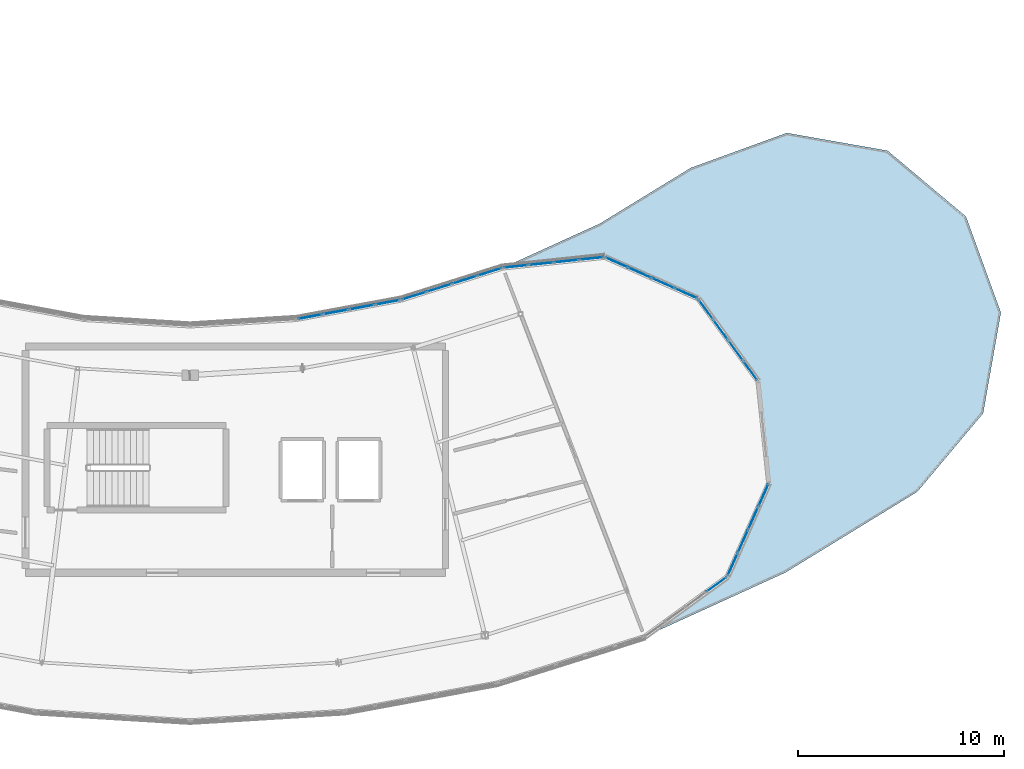
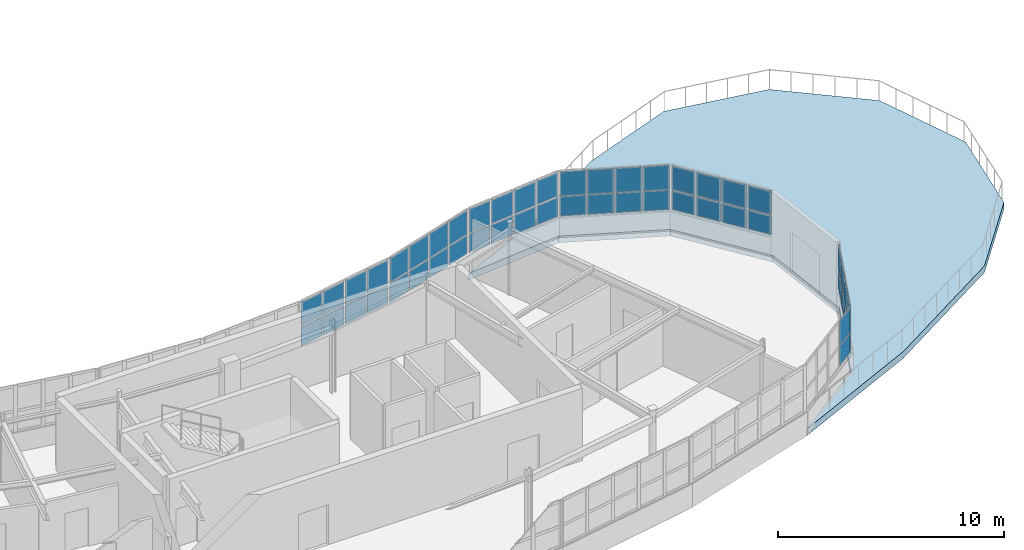
# One storey, part 39 of 65: 50 plates, 1 slab, 7 elements without a shape of their own.
"""IFC4 building model written with IfcOpenShell, lengths in metres."""

from ifc_helpers import new_model, si_unit, direction, frame, origin, origin_2d, place, context, subcontext, project, spatial, polyline, rectangle, outline, extrude, material, layer, layer_set, type_object, element, aggregate, save


model = new_model("IFC4")

# Units and contexts
model_context = context("Model", 3, precision=1e-05, world=origin(), true_north=direction((0.0, 1.0)))
body_context = subcontext(model_context, "Body", "Model", "MODEL_VIEW")
ifc_project = project(units=[si_unit("LENGTHUNIT", "METRE"), si_unit("AREAUNIT", "SQUARE_METRE"), si_unit("VOLUMEUNIT", "CUBIC_METRE"), si_unit("PLANEANGLEUNIT", "RADIAN"), si_unit("MASSUNIT", "GRAM", prefix="KILO")], contexts=[model_context])

# Site, building, storey
site_placement = place(None, origin())
site = spatial("IfcSite", under=ifc_project, at=site_placement, CompositionType="ELEMENT")
building_placement = place(site_placement, origin())
building = spatial("IfcBuilding", under=site, at=building_placement, Name="Tarnwether General Hospital", CompositionType="ELEMENT")
storey_placement = place(building_placement, frame((0.0, 0.0, 22.199951171875)))
storey = spatial("IfcBuildingStorey", under=building, at=storey_placement, Name="L05", CompositionType="ELEMENT", Elevation=22.199951171875)

# Curtain wall, plates
ifc_material_1 = material(Name="Anodised aluminium", Category="aluminium")
ifc_layer_1 = layer(ifc_material_1, 0.159912109375)
ifc_layer_set_1 = layer_set([ifc_layer_1], Name="Anodised aluminium")
curtain_wall_type = type_object("IfcCurtainWallType", Name="CW-04", PredefinedType="NOTDEFINED", material=ifc_layer_set_1)
curtain_wall_1_placement = place(storey_placement, origin())
curtain_wall_1 = element("IfcCurtainWall", 1, at=curtain_wall_1_placement, inside=storey, type_object=curtain_wall_type, Name="Curtain Wall CWG-L05-1181_84-0226", PredefinedType="NOTDEFINED")
ifc_material_2 = material(Name="Double glazed low-E glass", Category="glass")
ifc_layer_2 = layer(ifc_material_2, 0.028076171875)
ifc_layer_set_2 = layer_set([ifc_layer_2], Name="Double glazed low-E glass")
plate_type_1 = type_object("IfcPlateType", Name="PT-CWP1", PredefinedType="CURTAIN_PANEL", material=ifc_layer_set_2)
plate_1_placement = place(storey_placement, frame((117.581298828125, 8.0380859375, 1.110107421875), z_axis=(0.0, 0.0, 1.0), x_axis=(-0.809057896173, -0.587728951677, 0.0)))
plate_1 = element("IfcPlate", 2, at=plate_1_placement, type_object=plate_type_1, Name="CW-04 panel 1.1", PredefinedType="CURTAIN_PANEL", context=body_context, shape_type="SweptSolid", body=[
    extrude(rectangle(XDim=1.152587890625, YDim=0.028076171875, at=origin_2d()), origin(), (0.0, 0.0, 1.0), 1.03955078125),
])
plate_2_placement = place(storey_placement, frame((117.581298828125, 8.0380859375, 2.20947265625), z_axis=(0.0, 0.0, 1.0), x_axis=(-0.809057896173, -0.587728951677, 0.0)))
plate_2 = element("IfcPlate", 3, at=plate_2_placement, type_object=plate_type_1, Name="CW-04 panel 1.2", PredefinedType="CURTAIN_PANEL", context=body_context, shape_type="SweptSolid", body=[
    extrude(rectangle(XDim=1.152587890625, YDim=0.028076171875, at=origin_2d()), origin(), (0.0, 0.0, 1.0), 1.29052734375),
])
aggregate(curtain_wall_1, [plate_1, plate_2])

curtain_wall_2_placement = place(storey_placement, origin())
curtain_wall_2 = element("IfcCurtainWall", 4, at=curtain_wall_2_placement, inside=storey, type_object=curtain_wall_type, Name="Curtain Wall CWG-L05-1167_219-0228", PredefinedType="NOTDEFINED")
plate_3_placement = place(storey_placement, frame((117.053955078125, 21.395263671875, 1.1298828125), z_axis=(0.0, 0.0, 1.0), x_axis=(0.587824638969, -0.808988376814, 0.0)))
plate_3 = element("IfcPlate", 5, at=plate_3_placement, type_object=plate_type_1, Name="CW-04 panel 1.1", PredefinedType="CURTAIN_PANEL", context=body_context, shape_type="SweptSolid", body=[
    extrude(rectangle(XDim=1.122314453125, YDim=0.028076171875, at=origin_2d()), origin(), (0.0, 0.0, 1.0), 1.009521484375),
])
plate_4_placement = place(storey_placement, frame((117.053955078125, 21.395263671875, 2.2197265625), z_axis=(0.0, 0.0, 1.0), x_axis=(0.587824638969, -0.808988376814, 0.0)))
plate_4 = element("IfcPlate", 6, at=plate_4_placement, type_object=plate_type_1, Name="CW-04 panel 1.2", PredefinedType="CURTAIN_PANEL", context=body_context, shape_type="SweptSolid", body=[
    extrude(rectangle(XDim=1.122314453125, YDim=0.028076171875, at=origin_2d()), origin(), (0.0, 0.0, 1.0), 1.260498046875),
])
plate_5_placement = place(storey_placement, frame((117.7724609375, 20.406494140625, 1.1298828125), z_axis=(0.0, 0.0, 1.0), x_axis=(0.587824638969, -0.808988376814, 0.0)))
plate_5 = element("IfcPlate", 7, at=plate_5_placement, type_object=plate_type_1, Name="CW-04 panel 2.1", PredefinedType="CURTAIN_PANEL", context=body_context, shape_type="SweptSolid", body=[
    extrude(rectangle(XDim=1.162353515625, YDim=0.028076171875, at=origin_2d()), origin(), (0.0, 0.0, 1.0), 1.009521484375),
])
plate_6_placement = place(storey_placement, frame((117.7724609375, 20.406494140625, 2.2197265625), z_axis=(0.0, 0.0, 1.0), x_axis=(0.587824638969, -0.808988376814, 0.0)))
plate_6 = element("IfcPlate", 8, at=plate_6_placement, type_object=plate_type_1, Name="CW-04 panel 2.2", PredefinedType="CURTAIN_PANEL", context=body_context, shape_type="SweptSolid", body=[
    extrude(rectangle(XDim=1.162353515625, YDim=0.028076171875, at=origin_2d()), origin(), (0.0, 0.0, 1.0), 1.260498046875),
])
plate_7_placement = place(storey_placement, frame((118.502685546875, 19.401611328125, 1.1298828125), z_axis=(0.0, 0.0, 1.0), x_axis=(0.587824638969, -0.808988376814, 0.0)))
plate_7 = element("IfcPlate", 9, at=plate_7_placement, type_object=plate_type_1, Name="CW-04 panel 3.1", PredefinedType="CURTAIN_PANEL", context=body_context, shape_type="SweptSolid", body=[
    extrude(rectangle(XDim=1.162353515625, YDim=0.028076171875, at=origin_2d()), origin(), (0.0, 0.0, 1.0), 1.009521484375),
])
plate_8_placement = place(storey_placement, frame((118.502685546875, 19.401611328125, 2.2197265625), z_axis=(0.0, 0.0, 1.0), x_axis=(0.587824638969, -0.808988376814, 0.0)))
plate_8 = element("IfcPlate", 10, at=plate_8_placement, type_object=plate_type_1, Name="CW-04 panel 3.2", PredefinedType="CURTAIN_PANEL", context=body_context, shape_type="SweptSolid", body=[
    extrude(rectangle(XDim=1.162353515625, YDim=0.028076171875, at=origin_2d()), origin(), (0.0, 0.0, 1.0), 1.260498046875),
])
plate_9_placement = place(storey_placement, frame((119.22119140625, 18.41259765625, 1.1298828125), z_axis=(0.0, 0.0, 1.0), x_axis=(0.587824638969, -0.808988376814, 0.0)))
plate_9 = element("IfcPlate", 11, at=plate_9_placement, type_object=plate_type_1, Name="CW-04 panel 4.1", PredefinedType="CURTAIN_PANEL", context=body_context, shape_type="SweptSolid", body=[
    extrude(rectangle(XDim=1.122314453125, YDim=0.028076171875, at=origin_2d()), origin(), (0.0, 0.0, 1.0), 1.009521484375),
])
plate_10_placement = place(storey_placement, frame((119.22119140625, 18.41259765625, 2.2197265625), z_axis=(0.0, 0.0, 1.0), x_axis=(0.587824638969, -0.808988376814, 0.0)))
plate_10 = element("IfcPlate", 12, at=plate_10_placement, type_object=plate_type_1, Name="CW-04 panel 4.2", PredefinedType="CURTAIN_PANEL", context=body_context, shape_type="SweptSolid", body=[
    extrude(rectangle(XDim=1.122314453125, YDim=0.028076171875, at=origin_2d()), origin(), (0.0, 0.0, 1.0), 1.260498046875),
])
aggregate(curtain_wall_2, [plate_3, plate_4, plate_5, plate_6, plate_7, plate_8, plate_9, plate_10])

curtain_wall_3_placement = place(storey_placement, origin())
curtain_wall_3 = element("IfcCurtainWall", 13, at=curtain_wall_3_placement, inside=storey, type_object=curtain_wall_type, Name="Curtain Wall CWG-L05-1072_234-0230", PredefinedType="NOTDEFINED")
plate_11_placement = place(storey_placement, frame((107.830078125, 23.48291015625, 1.1201171875), z_axis=(0.0, 0.0, 1.0), x_axis=(0.994509862698, 0.104642883163, 0.0)))
plate_11 = element("IfcPlate", 14, at=plate_11_placement, type_object=plate_type_1, Name="CW-04 panel 1.1", PredefinedType="CURTAIN_PANEL", context=body_context, shape_type="SweptSolid", body=[
    extrude(rectangle(XDim=1.13720703125, YDim=0.028076171875, at=origin_2d()), origin(), (0.0, 0.0, 1.0), 1.0244140625),
])
plate_12_placement = place(storey_placement, frame((107.830078125, 23.48291015625, 2.214599609375), z_axis=(0.0, 0.0, 1.0), x_axis=(0.994509862698, 0.104642883163, 0.0)))
plate_12 = element("IfcPlate", 15, at=plate_12_placement, type_object=plate_type_1, Name="CW-04 panel 1.2", PredefinedType="CURTAIN_PANEL", context=body_context, shape_type="SweptSolid", body=[
    extrude(rectangle(XDim=1.13720703125, YDim=0.028076171875, at=origin_2d()), origin(), (0.0, 0.0, 1.0), 1.275390625),
])
plate_13_placement = place(storey_placement, frame((109.04833984375, 23.611083984375, 1.1201171875), z_axis=(0.0, 0.0, 1.0), x_axis=(0.994509862698, 0.104642883163, 0.0)))
plate_13 = element("IfcPlate", 16, at=plate_13_placement, type_object=plate_type_1, Name="CW-04 panel 2.1", PredefinedType="CURTAIN_PANEL", context=body_context, shape_type="SweptSolid", body=[
    extrude(rectangle(XDim=1.17236328125, YDim=0.028076171875, at=origin_2d()), origin(), (0.0, 0.0, 1.0), 1.0244140625),
])
plate_14_placement = place(storey_placement, frame((109.04833984375, 23.611083984375, 2.214599609375), z_axis=(0.0, 0.0, 1.0), x_axis=(0.994509862698, 0.104642883163, 0.0)))
plate_14 = element("IfcPlate", 17, at=plate_14_placement, type_object=plate_type_1, Name="CW-04 panel 2.2", PredefinedType="CURTAIN_PANEL", context=body_context, shape_type="SweptSolid", body=[
    extrude(rectangle(XDim=1.17236328125, YDim=0.028076171875, at=origin_2d()), origin(), (0.0, 0.0, 1.0), 1.275390625),
])
plate_15_placement = place(storey_placement, frame((110.28369140625, 23.740966796875, 1.1201171875), z_axis=(0.0, 0.0, 1.0), x_axis=(0.994509862698, 0.104642883163, 0.0)))
plate_15 = element("IfcPlate", 18, at=plate_15_placement, type_object=plate_type_1, Name="CW-04 panel 3.1", PredefinedType="CURTAIN_PANEL", context=body_context, shape_type="SweptSolid", body=[
    extrude(rectangle(XDim=1.17236328125, YDim=0.028076171875, at=origin_2d()), origin(), (0.0, 0.0, 1.0), 1.0244140625),
])
plate_16_placement = place(storey_placement, frame((110.28369140625, 23.740966796875, 2.214599609375), z_axis=(0.0, 0.0, 1.0), x_axis=(0.994509862698, 0.104642883163, 0.0)))
plate_16 = element("IfcPlate", 19, at=plate_16_placement, type_object=plate_type_1, Name="CW-04 panel 3.2", PredefinedType="CURTAIN_PANEL", context=body_context, shape_type="SweptSolid", body=[
    extrude(rectangle(XDim=1.17236328125, YDim=0.028076171875, at=origin_2d()), origin(), (0.0, 0.0, 1.0), 1.275390625),
])
plate_17_placement = place(storey_placement, frame((111.501953125, 23.869140625, 1.1201171875), z_axis=(0.0, 0.0, 1.0), x_axis=(0.994509862698, 0.104642883163, 0.0)))
plate_17 = element("IfcPlate", 20, at=plate_17_placement, type_object=plate_type_1, Name="CW-04 panel 4.1", PredefinedType="CURTAIN_PANEL", context=body_context, shape_type="SweptSolid", body=[
    extrude(rectangle(XDim=1.13720703125, YDim=0.028076171875, at=origin_2d()), origin(), (0.0, 0.0, 1.0), 1.0244140625),
])
plate_18_placement = place(storey_placement, frame((111.501953125, 23.869140625, 2.214599609375), z_axis=(0.0, 0.0, 1.0), x_axis=(0.994509862698, 0.104642883163, 0.0)))
plate_18 = element("IfcPlate", 21, at=plate_18_placement, type_object=plate_type_1, Name="CW-04 panel 4.2", PredefinedType="CURTAIN_PANEL", context=body_context, shape_type="SweptSolid", body=[
    extrude(rectangle(XDim=1.13720703125, YDim=0.028076171875, at=origin_2d()), origin(), (0.0, 0.0, 1.0), 1.275390625),
])
aggregate(curtain_wall_3, [plate_11, plate_12, plate_13, plate_14, plate_15, plate_16, plate_17, plate_18])

curtain_wall_4_placement = place(storey_placement, origin())
curtain_wall_4 = element("IfcCurtainWall", 22, at=curtain_wall_4_placement, inside=storey, type_object=curtain_wall_type, Name="Curtain Wall CWG-L05-1023_219-0231", PredefinedType="NOTDEFINED")
plate_19_placement = place(storey_placement, frame((102.8896484375, 22.05859375, 1.115234375), z_axis=(0.0, 0.0, 1.0), x_axis=(0.953713927508, 0.30071538783, 0.0)))
plate_19 = element("IfcPlate", 23, at=plate_19_placement, type_object=plate_type_1, Name="CW-04 panel 1.1", PredefinedType="CURTAIN_PANEL", context=body_context, shape_type="SweptSolid", body=[
    extrude(rectangle(XDim=1.197021484375, YDim=0.028076171875, at=origin_2d()), origin(), (0.0, 0.0, 1.0), 1.031982421875),
])
plate_20_placement = place(storey_placement, frame((102.8896484375, 22.05859375, 2.2119140625), z_axis=(0.0, 0.0, 1.0), x_axis=(0.953713927508, 0.30071538783, 0.0)))
plate_20 = element("IfcPlate", 24, at=plate_20_placement, type_object=plate_type_1, Name="CW-04 panel 1.2", PredefinedType="CURTAIN_PANEL", context=body_context, shape_type="SweptSolid", body=[
    extrude(rectangle(XDim=1.197021484375, YDim=0.028076171875, at=origin_2d()), origin(), (0.0, 0.0, 1.0), 1.282958984375),
])
plate_21_placement = place(storey_placement, frame((104.108642578125, 22.44287109375, 1.115234375), z_axis=(0.0, 0.0, 1.0), x_axis=(0.953713927508, 0.30071538783, 0.0)))
plate_21 = element("IfcPlate", 25, at=plate_21_placement, type_object=plate_type_1, Name="CW-04 panel 2.1", PredefinedType="CURTAIN_PANEL", context=body_context, shape_type="SweptSolid", body=[
    extrude(rectangle(XDim=1.2294921875, YDim=0.028076171875, at=origin_2d()), origin(), (0.0, 0.0, 1.0), 1.031982421875),
])
plate_22_placement = place(storey_placement, frame((104.108642578125, 22.44287109375, 2.2119140625), z_axis=(0.0, 0.0, 1.0), x_axis=(0.953713927508, 0.30071538783, 0.0)))
plate_22 = element("IfcPlate", 26, at=plate_22_placement, type_object=plate_type_1, Name="CW-04 panel 2.2", PredefinedType="CURTAIN_PANEL", context=body_context, shape_type="SweptSolid", body=[
    extrude(rectangle(XDim=1.2294921875, YDim=0.028076171875, at=origin_2d()), origin(), (0.0, 0.0, 1.0), 1.282958984375),
])
plate_23_placement = place(storey_placement, frame((105.34326171875, 22.83203125, 1.115234375), z_axis=(0.0, 0.0, 1.0), x_axis=(0.953713927508, 0.30071538783, 0.0)))
plate_23 = element("IfcPlate", 27, at=plate_23_placement, type_object=plate_type_1, Name="CW-04 panel 3.1", PredefinedType="CURTAIN_PANEL", context=body_context, shape_type="SweptSolid", body=[
    extrude(rectangle(XDim=1.2294921875, YDim=0.028076171875, at=origin_2d()), origin(), (0.0, 0.0, 1.0), 1.031982421875),
])
plate_24_placement = place(storey_placement, frame((105.34326171875, 22.83203125, 2.2119140625), z_axis=(0.0, 0.0, 1.0), x_axis=(0.953713927508, 0.30071538783, 0.0)))
plate_24 = element("IfcPlate", 28, at=plate_24_placement, type_object=plate_type_1, Name="CW-04 panel 3.2", PredefinedType="CURTAIN_PANEL", context=body_context, shape_type="SweptSolid", body=[
    extrude(rectangle(XDim=1.2294921875, YDim=0.028076171875, at=origin_2d()), origin(), (0.0, 0.0, 1.0), 1.282958984375),
])
plate_25_placement = place(storey_placement, frame((106.562255859375, 23.216552734375, 1.115234375), z_axis=(0.0, 0.0, 1.0), x_axis=(0.953713927508, 0.30071538783, 0.0)))
plate_25 = element("IfcPlate", 29, at=plate_25_placement, type_object=plate_type_1, Name="CW-04 panel 4.1", PredefinedType="CURTAIN_PANEL", context=body_context, shape_type="SweptSolid", body=[
    extrude(rectangle(XDim=1.197021484375, YDim=0.028076171875, at=origin_2d()), origin(), (0.0, 0.0, 1.0), 1.031982421875),
])
plate_26_placement = place(storey_placement, frame((106.562255859375, 23.216552734375, 2.2119140625), z_axis=(0.0, 0.0, 1.0), x_axis=(0.953713927508, 0.30071538783, 0.0)))
plate_26 = element("IfcPlate", 30, at=plate_26_placement, type_object=plate_type_1, Name="CW-04 panel 4.2", PredefinedType="CURTAIN_PANEL", context=body_context, shape_type="SweptSolid", body=[
    extrude(rectangle(XDim=1.197021484375, YDim=0.028076171875, at=origin_2d()), origin(), (0.0, 0.0, 1.0), 1.282958984375),
])
aggregate(curtain_wall_4, [plate_19, plate_20, plate_21, plate_22, plate_23, plate_24, plate_25, plate_26])

curtain_wall_5_placement = place(storey_placement, origin())
curtain_wall_5 = element("IfcCurtainWall", 31, at=curtain_wall_5_placement, inside=storey, type_object=curtain_wall_type, Name="Curtain Wall CWG-L05-1201_130-0227", PredefinedType="NOTDEFINED")
ifc_material_3 = material(Name="Double glazed low-E glass", Category="glass")
ifc_layer_3 = layer(ifc_material_3, 0.035888671875)
ifc_layer_set_3 = layer_set([ifc_layer_3], Name="Double glazed low-E glass")
plate_type_2 = type_object("IfcPlateType", Name="PT-CWP2", PredefinedType="CURTAIN_PANEL", material=ifc_layer_set_3)
plate_27_placement = place(storey_placement, frame((119.857177734375, 12.368408203125, 1.1201171875), z_axis=(0.0, 0.0, 1.0), x_axis=(-0.406679840705, -0.913570745572, 0.0)))
plate_27 = element("IfcPlate", 32, at=plate_27_placement, type_object=plate_type_2, Name="CW-04 panel 1.1", PredefinedType="CURTAIN_PANEL", context=body_context, shape_type="SweptSolid", body=[
    extrude(rectangle(XDim=1.137451171875, YDim=0.035888671875, at=origin_2d()), origin(), (0.0, 0.0, 1.0), 1.0244140625),
])
plate_28_placement = place(storey_placement, frame((119.857177734375, 12.368408203125, 2.214599609375), z_axis=(0.0, 0.0, 1.0), x_axis=(-0.406679840705, -0.913570745572, 0.0)))
plate_28 = element("IfcPlate", 33, at=plate_28_placement, type_object=plate_type_2, Name="CW-04 panel 1.2", PredefinedType="CURTAIN_PANEL", context=body_context, shape_type="SweptSolid", body=[
    extrude(rectangle(XDim=1.137451171875, YDim=0.035888671875, at=origin_2d()), origin(), (0.0, 0.0, 1.0), 1.275390625),
])
plate_29_placement = place(storey_placement, frame((119.359130859375, 11.24951171875, 1.1201171875), z_axis=(0.0, 0.0, 1.0), x_axis=(-0.406679840705, -0.913570745572, 0.0)))
plate_29 = element("IfcPlate", 34, at=plate_29_placement, type_object=plate_type_2, Name="CW-04 panel 2.1", PredefinedType="CURTAIN_PANEL", context=body_context, shape_type="SweptSolid", body=[
    extrude(rectangle(XDim=1.17236328125, YDim=0.035888671875, at=origin_2d()), origin(), (0.0, 0.0, 1.0), 1.0244140625),
])
plate_30_placement = place(storey_placement, frame((119.359130859375, 11.24951171875, 2.214599609375), z_axis=(0.0, 0.0, 1.0), x_axis=(-0.406679840705, -0.913570745572, 0.0)))
plate_30 = element("IfcPlate", 35, at=plate_30_placement, type_object=plate_type_2, Name="CW-04 panel 2.2", PredefinedType="CURTAIN_PANEL", context=body_context, shape_type="SweptSolid", body=[
    extrude(rectangle(XDim=1.17236328125, YDim=0.035888671875, at=origin_2d()), origin(), (0.0, 0.0, 1.0), 1.275390625),
])
plate_31_placement = place(storey_placement, frame((118.853759765625, 10.114501953125, 1.1201171875), z_axis=(0.0, 0.0, 1.0), x_axis=(-0.406679840705, -0.913570745572, 0.0)))
plate_31 = element("IfcPlate", 36, at=plate_31_placement, type_object=plate_type_2, Name="CW-04 panel 3.1", PredefinedType="CURTAIN_PANEL", context=body_context, shape_type="SweptSolid", body=[
    extrude(rectangle(XDim=1.17236328125, YDim=0.035888671875, at=origin_2d()), origin(), (0.0, 0.0, 1.0), 1.0244140625),
])
plate_32_placement = place(storey_placement, frame((118.853759765625, 10.114501953125, 2.214599609375), z_axis=(0.0, 0.0, 1.0), x_axis=(-0.406679840705, -0.913570745572, 0.0)))
plate_32 = element("IfcPlate", 37, at=plate_32_placement, type_object=plate_type_2, Name="CW-04 panel 3.2", PredefinedType="CURTAIN_PANEL", context=body_context, shape_type="SweptSolid", body=[
    extrude(rectangle(XDim=1.17236328125, YDim=0.035888671875, at=origin_2d()), origin(), (0.0, 0.0, 1.0), 1.275390625),
])
plate_33_placement = place(storey_placement, frame((118.355712890625, 8.99560546875, 1.1201171875), z_axis=(0.0, 0.0, 1.0), x_axis=(-0.406679840705, -0.913570745572, 0.0)))
plate_33 = element("IfcPlate", 38, at=plate_33_placement, type_object=plate_type_2, Name="CW-04 panel 4.1", PredefinedType="CURTAIN_PANEL", context=body_context, shape_type="SweptSolid", body=[
    extrude(rectangle(XDim=1.137451171875, YDim=0.035888671875, at=origin_2d()), origin(), (0.0, 0.0, 1.0), 1.0244140625),
])
plate_34_placement = place(storey_placement, frame((118.355712890625, 8.99560546875, 2.214599609375), z_axis=(0.0, 0.0, 1.0), x_axis=(-0.406679840705, -0.913570745572, 0.0)))
plate_34 = element("IfcPlate", 39, at=plate_34_placement, type_object=plate_type_2, Name="CW-04 panel 4.2", PredefinedType="CURTAIN_PANEL", context=body_context, shape_type="SweptSolid", body=[
    extrude(rectangle(XDim=1.137451171875, YDim=0.035888671875, at=origin_2d()), origin(), (0.0, 0.0, 1.0), 1.275390625),
])
aggregate(curtain_wall_5, [plate_27, plate_28, plate_29, plate_30, plate_31, plate_32, plate_33, plate_34])

curtain_wall_6_placement = place(storey_placement, origin())
curtain_wall_6 = element("IfcCurtainWall", 40, at=curtain_wall_6_placement, inside=storey, type_object=curtain_wall_type, Name="Curtain Wall CWG-L05-1121_239-0229", PredefinedType="NOTDEFINED")
plate_35_placement = place(storey_placement, frame((112.71826171875, 23.67724609375, 1.110107421875), z_axis=(0.0, 0.0, 1.0), x_axis=(0.913495974215, -0.406847766484, 0.0)))
plate_35 = element("IfcPlate", 41, at=plate_35_placement, type_object=plate_type_2, Name="CW-04 panel 1.1", PredefinedType="CURTAIN_PANEL", context=body_context, shape_type="SweptSolid", body=[
    extrude(rectangle(XDim=1.152587890625, YDim=0.035888671875, at=origin_2d()), origin(), (0.0, 0.0, 1.0), 1.03955078125),
])
plate_36_placement = place(storey_placement, frame((112.71826171875, 23.67724609375, 2.20947265625), z_axis=(0.0, 0.0, 1.0), x_axis=(0.913495974215, -0.406847766484, 0.0)))
plate_36 = element("IfcPlate", 42, at=plate_36_placement, type_object=plate_type_2, Name="CW-04 panel 1.2", PredefinedType="CURTAIN_PANEL", context=body_context, shape_type="SweptSolid", body=[
    extrude(rectangle(XDim=1.152587890625, YDim=0.035888671875, at=origin_2d()), origin(), (0.0, 0.0, 1.0), 1.29052734375),
])
plate_37_placement = place(storey_placement, frame((113.839599609375, 23.177734375, 1.110107421875), z_axis=(0.0, 0.0, 1.0), x_axis=(0.913495974215, -0.406847766484, 0.0)))
plate_37 = element("IfcPlate", 43, at=plate_37_placement, type_object=plate_type_2, Name="CW-04 panel 2.1", PredefinedType="CURTAIN_PANEL", context=body_context, shape_type="SweptSolid", body=[
    extrude(rectangle(XDim=1.182373046875, YDim=0.035888671875, at=origin_2d()), origin(), (0.0, 0.0, 1.0), 1.03955078125),
])
plate_38_placement = place(storey_placement, frame((113.839599609375, 23.177734375, 2.20947265625), z_axis=(0.0, 0.0, 1.0), x_axis=(0.913495974215, -0.406847766484, 0.0)))
plate_38 = element("IfcPlate", 44, at=plate_38_placement, type_object=plate_type_2, Name="CW-04 panel 2.2", PredefinedType="CURTAIN_PANEL", context=body_context, shape_type="SweptSolid", body=[
    extrude(rectangle(XDim=1.182373046875, YDim=0.035888671875, at=origin_2d()), origin(), (0.0, 0.0, 1.0), 1.29052734375),
])
plate_39_placement = place(storey_placement, frame((114.974609375, 22.67236328125, 1.110107421875), z_axis=(0.0, 0.0, 1.0), x_axis=(0.913495974215, -0.406847766484, 0.0)))
plate_39 = element("IfcPlate", 45, at=plate_39_placement, type_object=plate_type_2, Name="CW-04 panel 3.1", PredefinedType="CURTAIN_PANEL", context=body_context, shape_type="SweptSolid", body=[
    extrude(rectangle(XDim=1.182373046875, YDim=0.035888671875, at=origin_2d()), origin(), (0.0, 0.0, 1.0), 1.03955078125),
])
plate_40_placement = place(storey_placement, frame((114.974609375, 22.67236328125, 2.20947265625), z_axis=(0.0, 0.0, 1.0), x_axis=(0.913495974215, -0.406847766484, 0.0)))
plate_40 = element("IfcPlate", 46, at=plate_40_placement, type_object=plate_type_2, Name="CW-04 panel 3.2", PredefinedType="CURTAIN_PANEL", context=body_context, shape_type="SweptSolid", body=[
    extrude(rectangle(XDim=1.182373046875, YDim=0.035888671875, at=origin_2d()), origin(), (0.0, 0.0, 1.0), 1.29052734375),
])
plate_41_placement = place(storey_placement, frame((116.095703125, 22.1728515625, 1.110107421875), z_axis=(0.0, 0.0, 1.0), x_axis=(0.913495974215, -0.406847766484, 0.0)))
plate_41 = element("IfcPlate", 47, at=plate_41_placement, type_object=plate_type_2, Name="CW-04 panel 4.1", PredefinedType="CURTAIN_PANEL", context=body_context, shape_type="SweptSolid", body=[
    extrude(rectangle(XDim=1.152587890625, YDim=0.035888671875, at=origin_2d()), origin(), (0.0, 0.0, 1.0), 1.03955078125),
])
plate_42_placement = place(storey_placement, frame((116.095703125, 22.1728515625, 2.20947265625), z_axis=(0.0, 0.0, 1.0), x_axis=(0.913495974215, -0.406847766484, 0.0)))
plate_42 = element("IfcPlate", 48, at=plate_42_placement, type_object=plate_type_2, Name="CW-04 panel 4.2", PredefinedType="CURTAIN_PANEL", context=body_context, shape_type="SweptSolid", body=[
    extrude(rectangle(XDim=1.152587890625, YDim=0.035888671875, at=origin_2d()), origin(), (0.0, 0.0, 1.0), 1.29052734375),
])
aggregate(curtain_wall_6, [plate_35, plate_36, plate_37, plate_38, plate_39, plate_40, plate_41, plate_42])

curtain_wall_7_placement = place(storey_placement, origin())
curtain_wall_7 = element("IfcCurtainWall", 49, at=curtain_wall_7_placement, inside=storey, type_object=curtain_wall_type, Name="Curtain Wall CWG-L05-972_209-0232", PredefinedType="NOTDEFINED")
plate_43_placement = place(storey_placement, frame((97.822998046875, 21.03759765625, 1.1298828125), z_axis=(0.0, 0.0, 1.0), x_axis=(0.983267910924, 0.182165351666, 0.0)))
plate_43 = element("IfcPlate", 50, at=plate_43_placement, type_object=plate_type_2, Name="CW-04 panel 1.1", PredefinedType="CURTAIN_PANEL", context=body_context, shape_type="SweptSolid", body=[
    extrude(rectangle(XDim=1.174072265625, YDim=0.035888671875, at=origin_2d()), origin(), (0.0, 0.0, 1.0), 1.009521484375),
])
plate_44_placement = place(storey_placement, frame((97.822998046875, 21.03759765625, 2.2197265625), z_axis=(0.0, 0.0, 1.0), x_axis=(0.983267910924, 0.182165351666, 0.0)))
plate_44 = element("IfcPlate", 51, at=plate_44_placement, type_object=plate_type_2, Name="CW-04 panel 1.2", PredefinedType="CURTAIN_PANEL", context=body_context, shape_type="SweptSolid", body=[
    extrude(rectangle(XDim=1.174072265625, YDim=0.035888671875, at=origin_2d()), origin(), (0.0, 0.0, 1.0), 1.260498046875),
])
plate_45_placement = place(storey_placement, frame((99.07568359375, 21.26953125, 1.1298828125), z_axis=(0.0, 0.0, 1.0), x_axis=(0.983267910924, 0.182165351666, 0.0)))
plate_45 = element("IfcPlate", 52, at=plate_45_placement, type_object=plate_type_2, Name="CW-04 panel 2.1", PredefinedType="CURTAIN_PANEL", context=body_context, shape_type="SweptSolid", body=[
    extrude(rectangle(XDim=1.214111328125, YDim=0.035888671875, at=origin_2d()), origin(), (0.0, 0.0, 1.0), 1.009521484375),
])
plate_46_placement = place(storey_placement, frame((99.07568359375, 21.26953125, 2.2197265625), z_axis=(0.0, 0.0, 1.0), x_axis=(0.983267910924, 0.182165351666, 0.0)))
plate_46 = element("IfcPlate", 53, at=plate_46_placement, type_object=plate_type_2, Name="CW-04 panel 2.2", PredefinedType="CURTAIN_PANEL", context=body_context, shape_type="SweptSolid", body=[
    extrude(rectangle(XDim=1.214111328125, YDim=0.035888671875, at=origin_2d()), origin(), (0.0, 0.0, 1.0), 1.260498046875),
])
plate_47_placement = place(storey_placement, frame((100.34814453125, 21.50537109375, 1.1298828125), z_axis=(0.0, 0.0, 1.0), x_axis=(0.983267910924, 0.182165351666, 0.0)))
plate_47 = element("IfcPlate", 54, at=plate_47_placement, type_object=plate_type_2, Name="CW-04 panel 3.1", PredefinedType="CURTAIN_PANEL", context=body_context, shape_type="SweptSolid", body=[
    extrude(rectangle(XDim=1.214111328125, YDim=0.035888671875, at=origin_2d()), origin(), (0.0, 0.0, 1.0), 1.009521484375),
])
plate_48_placement = place(storey_placement, frame((100.34814453125, 21.50537109375, 2.2197265625), z_axis=(0.0, 0.0, 1.0), x_axis=(0.983267910924, 0.182165351666, 0.0)))
plate_48 = element("IfcPlate", 55, at=plate_48_placement, type_object=plate_type_2, Name="CW-04 panel 3.2", PredefinedType="CURTAIN_PANEL", context=body_context, shape_type="SweptSolid", body=[
    extrude(rectangle(XDim=1.214111328125, YDim=0.035888671875, at=origin_2d()), origin(), (0.0, 0.0, 1.0), 1.260498046875),
])
plate_49_placement = place(storey_placement, frame((101.60107421875, 21.737548828125, 1.1298828125), z_axis=(0.0, 0.0, 1.0), x_axis=(0.983267910924, 0.182165351666, 0.0)))
plate_49 = element("IfcPlate", 56, at=plate_49_placement, type_object=plate_type_2, Name="CW-04 panel 4.1", PredefinedType="CURTAIN_PANEL", context=body_context, shape_type="SweptSolid", body=[
    extrude(rectangle(XDim=1.174072265625, YDim=0.035888671875, at=origin_2d()), origin(), (0.0, 0.0, 1.0), 1.009521484375),
])
plate_50_placement = place(storey_placement, frame((101.60107421875, 21.737548828125, 2.2197265625), z_axis=(0.0, 0.0, 1.0), x_axis=(0.983267910924, 0.182165351666, 0.0)))
plate_50 = element("IfcPlate", 57, at=plate_50_placement, type_object=plate_type_2, Name="CW-04 panel 4.2", PredefinedType="CURTAIN_PANEL", context=body_context, shape_type="SweptSolid", body=[
    extrude(rectangle(XDim=1.174072265625, YDim=0.035888671875, at=origin_2d()), origin(), (0.0, 0.0, 1.0), 1.260498046875),
])
aggregate(curtain_wall_7, [plate_43, plate_44, plate_45, plate_46, plate_47, plate_48, plate_49, plate_50])

# Slab
ifc_material_4 = material(Name="Concrete 40 MPa", Category="concrete")
ifc_layer_4 = layer(ifc_material_4, 0.360107421875)
ifc_layer_set_4 = layer_set([ifc_layer_4], Name="Concrete 40 MPa")
slab_type = type_object("IfcSlabType", Name="SL-TR240", PredefinedType="FLOOR", material=ifc_layer_set_4)
slab_placement = place(storey_placement, frame((0.0, 0.0, -0.35986328125)))
element("IfcSlab", 58, at=slab_placement, inside=storey, type_object=slab_type, Name="L05 South-East Ward Therapy Terrace SL-L05-WSE-TER", PredefinedType="FLOOR", context=body_context, shape_type="SweptSolid", body=[
    extrude(outline(polyline([(111.906005859375, 25.56298828125), (116.320068359375, 28.26806640625), (120.989013671875, 29.968017578125), (125.883056640625, 29.10498046875), (129.68994140625, 25.909912109375), (131.388916015625, 21.240966796875), (130.527099609375, 16.346923828125), (127.33203125, 12.5400390625), (120.9189453125, 8.610107421875), (114.166015625, 5.532958984375), (118.10791015625, 8.39599609375), (118.10888671875, 8.39697265625), (118.111083984375, 8.39892578125), (118.112060546875, 8.39990234375), (118.113037109375, 8.402099609375), (118.114013671875, 8.404052734375), (120.135009765625, 12.944091796875), (120.135986328125, 12.946044921875), (120.136962890625, 12.947998046875), (120.136962890625, 12.949951171875), (120.136962890625, 12.951904296875), (120.136962890625, 12.9541015625), (119.617919921875, 17.89599609375), (119.617919921875, 17.89794921875), (119.616943359375, 17.89990234375), (119.615966796875, 17.902099609375), (119.614990234375, 17.904052734375), (119.614013671875, 17.906005859375), (116.693115234375, 21.926025390625), (116.69189453125, 21.927001953125), (116.68994140625, 21.928955078125), (116.68896484375, 21.929931640625), (116.68701171875, 21.930908203125), (116.68505859375, 21.931884765625), (112.14501953125, 23.9541015625), (112.14306640625, 23.955078125), (112.14111328125, 23.9560546875), (112.138916015625, 23.9560546875), (112.136962890625, 23.9560546875), (112.135009765625, 23.9560546875), (107.251953125, 23.44189453125), (111.906005859375, 25.56298828125)])), origin(), (0.0, 0.0, 1.0), 0.35986328125),
])

save(model, "model.ifc")
